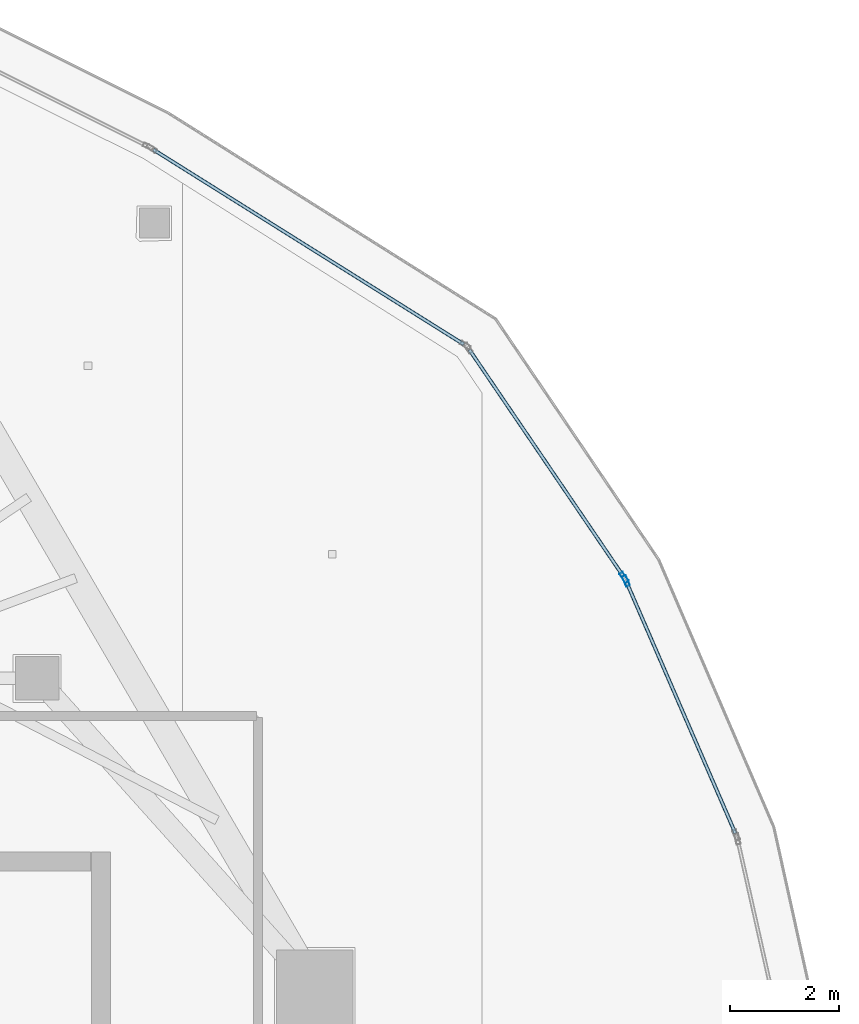
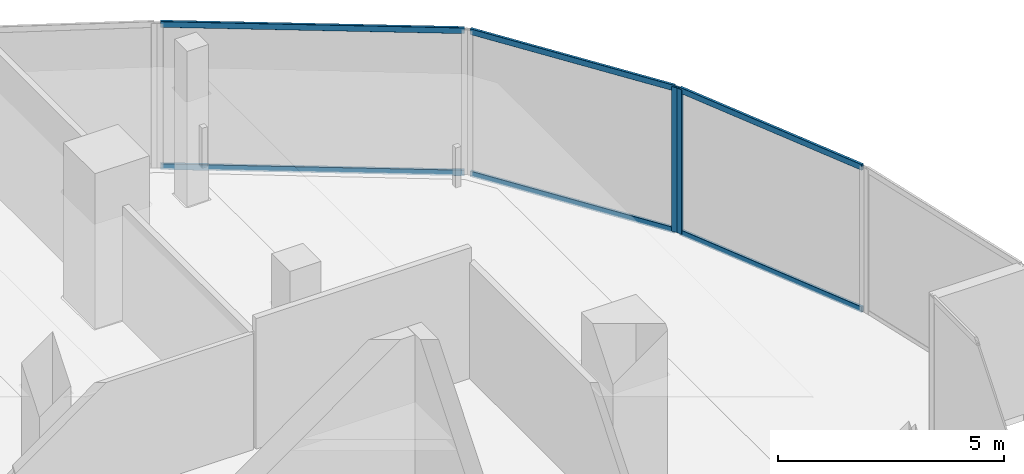
# One storey, part 15 of 25: 8 members, 3 elements without a shape of their own.
"""IFC4 building model written with IfcOpenShell, lengths in metres."""

from ifc_helpers import new_model, si_unit, direction, frame, origin, origin_2d, place, context, subcontext, project, spatial, hollow_rectangle, extrude, material, layer, layer_set, material_profile, profile_set, type_object, element, aggregate, save


model = new_model("IFC4")

# Units and contexts
model_context = context("Model", 3, precision=1e-05, world=origin(), true_north=direction((0.0, 1.0)))
body_context = subcontext(model_context, "Body", "Model", "MODEL_VIEW")
ifc_project = project(units=[si_unit("LENGTHUNIT", "METRE"), si_unit("AREAUNIT", "SQUARE_METRE"), si_unit("VOLUMEUNIT", "CUBIC_METRE"), si_unit("PLANEANGLEUNIT", "RADIAN"), si_unit("MASSUNIT", "GRAM", prefix="KILO")], contexts=[model_context])

# Site, building, storey
site_placement = place(None, origin())
site = spatial("IfcSite", under=ifc_project, at=site_placement, CompositionType="ELEMENT")
building_placement = place(site_placement, origin())
building = spatial("IfcBuilding", under=site, at=building_placement, Name="Qorvath Tower", CompositionType="ELEMENT")
storey_placement = place(building_placement, frame((0.0, 0.0, 297.60009765625)))
storey = spatial("IfcBuildingStorey", under=building, at=storey_placement, Name="L69", CompositionType="ELEMENT", Elevation=297.60009765625)

# Curtain wall, member
ifc_material_1 = material(Name="Anodised aluminium and triple low-E glass", Category="aluminium")
ifc_layer = layer(ifc_material_1, 0.179931640625)
ifc_layer_set = layer_set([ifc_layer], Name="CW-SYS-5")
curtain_wall_type = type_object("IfcCurtainWallType", Name="CW-SYS-5", PredefinedType="NOTDEFINED", material=ifc_layer_set)
curtain_wall_1_placement = place(storey_placement, origin())
curtain_wall_1 = element("IfcCurtainWall", 1, at=curtain_wall_1_placement, inside=storey, type_object=curtain_wall_type, Name="Curtain Wall CW-5 CW-T-L69-12.1", PredefinedType="NOTDEFINED")
ifc_material_2 = material(Name="Anodised aluminium 6063-T6", Category="aluminium")
ifc_material_profile_1 = material_profile(ifc_material_2, hollow_rectangle(XDim=0.074951171875, YDim=0.199951171875, WallThickness=0.00390625, InnerFilletRadius=0.00390625, OuterFilletRadius=0.008056640625, at=origin_2d()), Name="CWM 200x75")
ifc_profile_set_1 = profile_set([ifc_material_profile_1], Name="Anodised aluminium 6063-T6")
member_type_1 = type_object("IfcMemberType", Name="CWM-200", PredefinedType="MULLION", material=ifc_profile_set_1)
member_1_placement = place(storey_placement, frame((-6.377197265625, 13.24169921875, 0.0), z_axis=(0.0, 0.0, 1.0), x_axis=(-0.91753373573, -0.397657948238, 0.0)))
member_1 = element("IfcMember", 2, at=member_1_placement, type_object=member_type_1, Name="CW-5 mullion 2", PredefinedType="MULLION", context=body_context, shape_type="SweptSolid", body=[
    extrude(hollow_rectangle(XDim=0.074951171875, YDim=0.199951171875, WallThickness=0.00390625, InnerFilletRadius=0.00390625, OuterFilletRadius=0.008056640625, at=origin_2d()), origin(), (0.0, 0.0, 1.0), 3.909912109375),
])

curtain_wall_2_placement = place(storey_placement, origin())
curtain_wall_2 = element("IfcCurtainWall", 3, at=curtain_wall_2_placement, inside=storey, type_object=curtain_wall_type, Name="Curtain Wall CW-5 CW-T-L69-13.1", PredefinedType="NOTDEFINED")
member_2_placement = place(storey_placement, frame((-6.4130859375, 13.30712890625, 0.0), z_axis=(0.0, 0.0, 1.0), x_axis=(-0.827147097371, -0.561985479626, 0.0)))
member_2 = element("IfcMember", 4, at=member_2_placement, type_object=member_type_1, Name="CW-5 mullion 1", PredefinedType="MULLION", context=body_context, shape_type="SweptSolid", body=[
    extrude(hollow_rectangle(XDim=0.074951171875, YDim=0.199951171875, WallThickness=0.00390625, InnerFilletRadius=0.00390625, OuterFilletRadius=0.008056640625, at=origin_2d()), origin(), (0.0, 0.0, 1.0), 3.909912109375),
])

# Member
ifc_material_3 = material(Name="Anodised aluminium 6063-T6", Category="aluminium")
ifc_material_profile_2 = material_profile(ifc_material_3, hollow_rectangle(XDim=0.06494140625, YDim=0.159912109375, WallThickness=0.00341796875, InnerFilletRadius=0.00341796875, OuterFilletRadius=0.007080078125, at=origin_2d()), Name="CWT 160x65")
ifc_profile_set_2 = profile_set([ifc_material_profile_2], Name="Anodised aluminium 6063-T6")
member_type_2 = type_object("IfcMemberType", Name="CWT-160", PredefinedType="USERDEFINED", material=ifc_profile_set_2)
member_3_placement = place(storey_placement, frame((-4.3671875, 8.60400390625, 0.032470703125), z_axis=(-0.397668890625, 0.917528993236, 0.0), x_axis=(-0.917528993236, -0.397668890625, 0.0)))
member_3 = element("IfcMember", 5, at=member_3_placement, type_object=member_type_2, Name="CW-5 transom 1.1", ObjectType="TRANSOM", PredefinedType="USERDEFINED", context=body_context, shape_type="SweptSolid", body=[
    extrude(hollow_rectangle(XDim=0.06494140625, YDim=0.159912109375, WallThickness=0.00341796875, InnerFilletRadius=0.00341796875, OuterFilletRadius=0.007080078125, at=origin_2d()), origin(), (0.0, 0.0, 1.0), 5.01708984375),
])

member_4_placement = place(storey_placement, frame((-4.3671875, 8.60400390625, 3.87744140625), z_axis=(-0.397668890625, 0.917528993236, 0.0), x_axis=(-0.917528993236, -0.397668890625, 0.0)))
member_4 = element("IfcMember", 6, at=member_4_placement, type_object=member_type_2, Name="CW-5 transom 1.2", ObjectType="TRANSOM", PredefinedType="USERDEFINED", context=body_context, shape_type="SweptSolid", body=[
    extrude(hollow_rectangle(XDim=0.06494140625, YDim=0.159912109375, WallThickness=0.00341796875, InnerFilletRadius=0.00341796875, OuterFilletRadius=0.007080078125, at=origin_2d()), origin(), (0.0, 0.0, 1.0), 5.01708984375),
])

aggregate(curtain_wall_1, [member_1, member_3, member_4])

member_5_placement = place(storey_placement, frame((-6.434326171875, 13.338134765625, 0.032470703125), z_axis=(-0.561955914712, 0.827167183779, 0.0), x_axis=(-0.827167183779, -0.561955914712, 0.0)))
member_5 = element("IfcMember", 7, at=member_5_placement, type_object=member_type_2, Name="CW-5 transom 1.1", ObjectType="TRANSOM", PredefinedType="USERDEFINED", context=body_context, shape_type="SweptSolid", body=[
    extrude(hollow_rectangle(XDim=0.06494140625, YDim=0.159912109375, WallThickness=0.00341796875, InnerFilletRadius=0.00341796875, OuterFilletRadius=0.007080078125, at=origin_2d()), origin(), (0.0, 0.0, 1.0), 5.01708984375),
])

member_6_placement = place(storey_placement, frame((-6.434326171875, 13.338134765625, 3.87744140625), z_axis=(-0.561955914712, 0.827167183779, 0.0), x_axis=(-0.827167183779, -0.561955914712, 0.0)))
member_6 = element("IfcMember", 8, at=member_6_placement, type_object=member_type_2, Name="CW-5 transom 1.2", ObjectType="TRANSOM", PredefinedType="USERDEFINED", context=body_context, shape_type="SweptSolid", body=[
    extrude(hollow_rectangle(XDim=0.06494140625, YDim=0.159912109375, WallThickness=0.00341796875, InnerFilletRadius=0.00341796875, OuterFilletRadius=0.007080078125, at=origin_2d()), origin(), (0.0, 0.0, 1.0), 5.01708984375),
])

aggregate(curtain_wall_2, [member_2, member_5, member_6])

# Curtain wall, members
curtain_wall_3_placement = place(storey_placement, origin())
curtain_wall_3 = element("IfcCurtainWall", 9, at=curtain_wall_3_placement, inside=storey, type_object=curtain_wall_type, Name="Curtain Wall CW-5 CW-T-L69-14.1", PredefinedType="NOTDEFINED")
member_7_placement = place(storey_placement, frame((-9.359375, 17.58984375, 0.032470703125), z_axis=(-0.847125042833, 0.531393603466, 0.0), x_axis=(-0.531393603466, -0.847125042833, 0.0)))
member_7 = element("IfcMember", 10, at=member_7_placement, type_object=member_type_2, Name="CW-5 transom 1.1", ObjectType="TRANSOM", PredefinedType="USERDEFINED", context=body_context, shape_type="SweptSolid", body=[
    extrude(hollow_rectangle(XDim=0.06494140625, YDim=0.159912109375, WallThickness=0.00341796875, InnerFilletRadius=0.00341796875, OuterFilletRadius=0.007080078125, at=origin_2d()), origin(), (0.0, 0.0, 1.0), 6.731201171875),
])
member_8_placement = place(storey_placement, frame((-9.359375, 17.58984375, 3.87744140625), z_axis=(-0.847125042833, 0.531393603466, 0.0), x_axis=(-0.531393603466, -0.847125042833, 0.0)))
member_8 = element("IfcMember", 11, at=member_8_placement, type_object=member_type_2, Name="CW-5 transom 1.2", ObjectType="TRANSOM", PredefinedType="USERDEFINED", context=body_context, shape_type="SweptSolid", body=[
    extrude(hollow_rectangle(XDim=0.06494140625, YDim=0.159912109375, WallThickness=0.00341796875, InnerFilletRadius=0.00341796875, OuterFilletRadius=0.007080078125, at=origin_2d()), origin(), (0.0, 0.0, 1.0), 6.731201171875),
])
aggregate(curtain_wall_3, [member_7, member_8])

save(model, "model.ifc")
